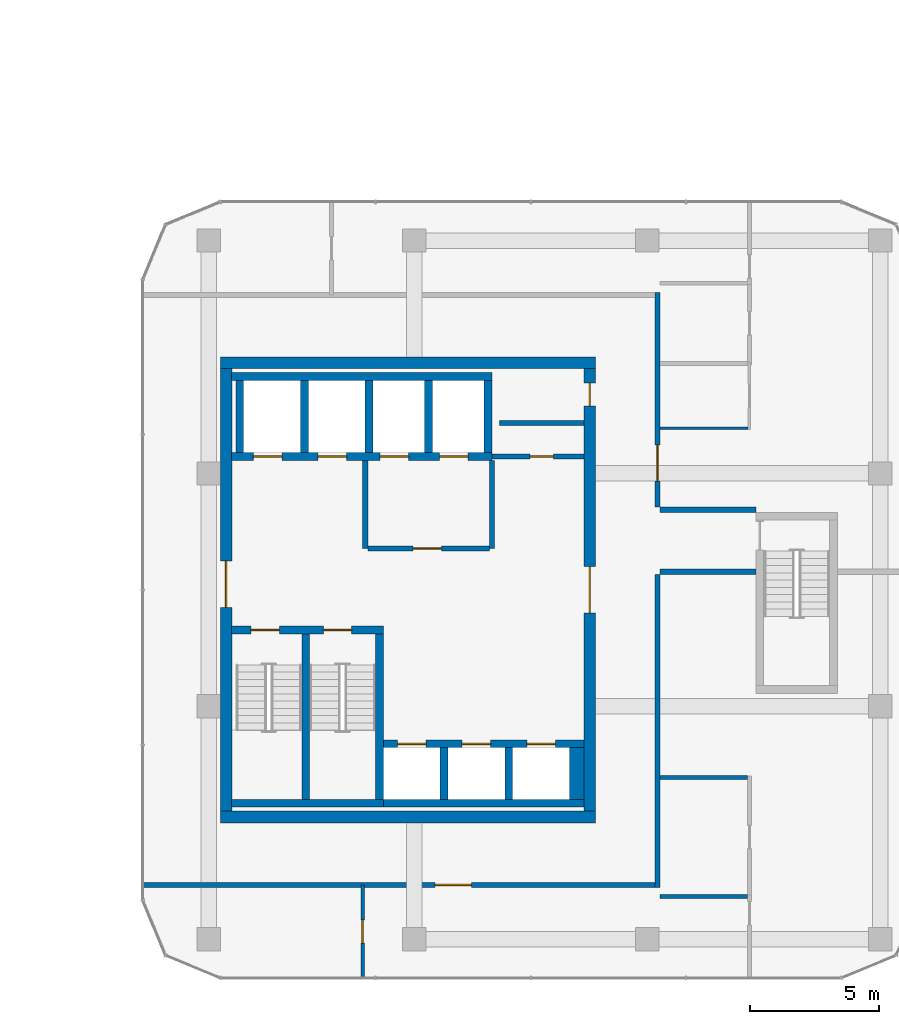
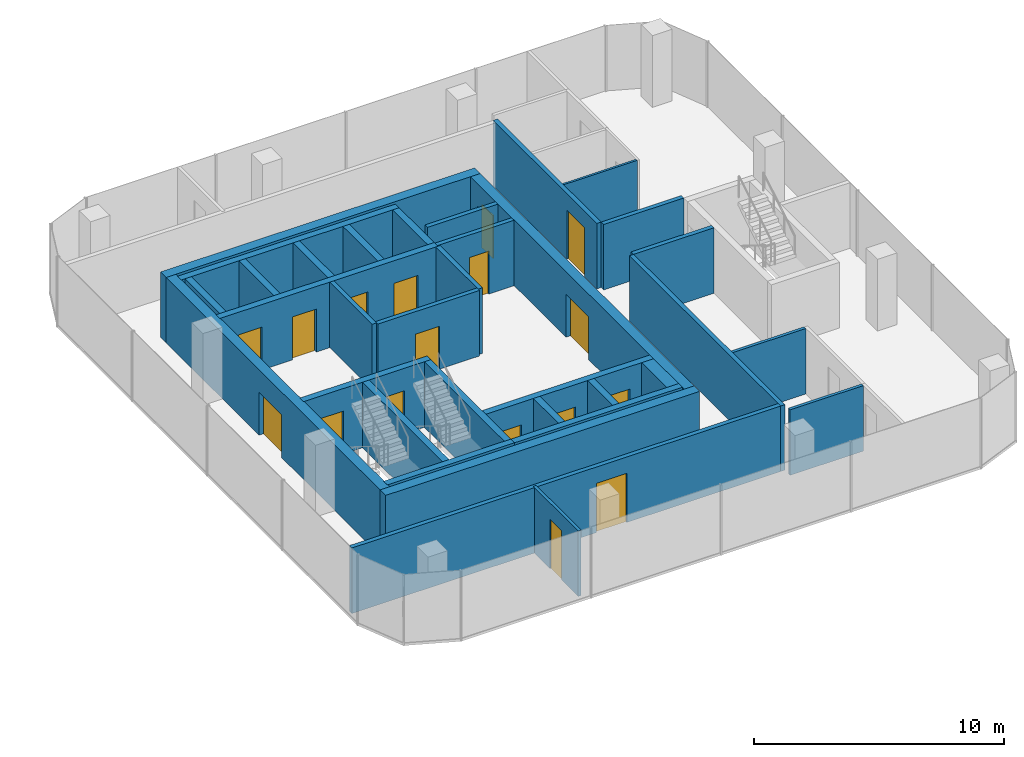
# One storey, part 17 of 22: 34 walls, 17 doors, 17 openings.
"""IFC4 building model written with IfcOpenShell, lengths in metres."""

import ifcopenshell
import ifcopenshell.guid

model = None  # the IFC model being written
_history = None  # IfcOwnerHistory: only IFC2X3 demands one
_inside = {}  # id of a spatial element -> (the spatial element, [elements in it])
_under = {}  # id of a project, library or spatial element -> (it, [spatial elements below it])
_declared = {}  # id of a project -> (the project, [libraries it declares])
_typed = {}  # id of a type object -> (the type object, [elements of that type])
_made_of = {}  # id of a material, layer set ... -> (it, [elements and type objects made of it])


def new_model(schema):
    """Start an empty IFC model of exactly this schema.

    Asked for "IFC4X3", IfcOpenShell would pick the latest addendum, in which some entities
    have other attributes; the version numbers below select the first issue.
    IFC2X3 requires an IfcOwnerHistory on every rooted entity: one is made here for all.
    """
    global model, _history
    if schema == "IFC4X3":
        model = ifcopenshell.file(schema_version=(4, 3, 0, 0))
    else:
        model = ifcopenshell.file(schema=schema)
    _inside.clear()
    _under.clear()
    _declared.clear()
    _typed.clear()
    _made_of.clear()
    _history = None
    if model.schema == "IFC2X3":
        org = make("IfcOrganization", Name="unknown")
        user = make(
            "IfcPersonAndOrganization",
            ThePerson=make("IfcPerson", FamilyName="unknown"),
            TheOrganization=org,
        )
        app = make(
            "IfcApplication",
            ApplicationDeveloper=org,
            Version="unknown",
            ApplicationFullName="unknown",
            ApplicationIdentifier="unknown",
        )
        _history = make(
            "IfcOwnerHistory",
            OwningUser=user,
            OwningApplication=app,
            ChangeAction="ADDED",
            CreationDate=0,
        )
    return model


def make(cls, **values):
    """One entity of the class cls with the attributes given. An attribute that is None is left unset."""
    return model.create_entity(
        cls, **{name: value for name, value in values.items() if value is not None}
    )


def rooted(cls, **values):
    """An entity with a GlobalId (a new one), such as an element, a storey or a relation."""
    return make(cls, GlobalId=ifcopenshell.guid.new(), OwnerHistory=_history, **values)


def si_unit(unit_type, name, prefix=None):
    """IfcSIUnit, for example si_unit("LENGTHUNIT", "METRE", prefix="MILLI")."""
    return make("IfcSIUnit", UnitType=unit_type, Prefix=prefix, Name=name)


def assignment(units):
    """IfcUnitAssignment: the units of a project."""
    return None if units is None else make("IfcUnitAssignment", Units=units)


def point(xyz):
    """IfcCartesianPoint."""
    return None if xyz is None else make("IfcCartesianPoint", Coordinates=xyz)


def direction(xyz):
    """IfcDirection."""
    return None if xyz is None else make("IfcDirection", DirectionRatios=xyz)


def frame(location, z_axis=None, x_axis=None):
    """IfcAxis2Placement3D, a coordinate frame: its origin and axes. An axis left out is left unset."""
    return make(
        "IfcAxis2Placement3D",
        Location=point(location),
        Axis=direction(z_axis),
        RefDirection=direction(x_axis),
    )


def frame_2d(location, x_axis=None):
    """IfcAxis2Placement2D, a coordinate frame in the plane: its origin and x axis."""
    return make(
        "IfcAxis2Placement2D", Location=point(location), RefDirection=direction(x_axis)
    )


def origin():
    """The frame at (0, 0, 0) with its axes left unset."""
    return frame((0.0, 0.0, 0.0))


def place(relative_to, where):
    """IfcLocalPlacement: puts the frame where relative to a parent placement (None: the world)."""
    return make(
        "IfcLocalPlacement", PlacementRelTo=relative_to, RelativePlacement=where
    )


def context(
    kind, dimensions, precision=None, world=None, true_north=None, identifier=None
):
    """IfcGeometricRepresentationContext, for example the 3D "Model" context."""
    return make(
        "IfcGeometricRepresentationContext",
        ContextIdentifier=identifier,
        ContextType=kind,
        CoordinateSpaceDimension=dimensions,
        Precision=precision,
        WorldCoordinateSystem=world,
        TrueNorth=true_north,
    )


def subcontext(parent, identifier, kind, view, scale=None):
    """IfcGeometricRepresentationSubContext, for example "Body" below "Model"."""
    return make(
        "IfcGeometricRepresentationSubContext",
        ContextIdentifier=identifier,
        ContextType=kind,
        ParentContext=parent,
        TargetScale=scale,
        TargetView=view,
    )


def project(units=None, contexts=None):
    """IfcProject with its units and contexts."""
    return rooted(
        "IfcProject",
        Name="project",
        RepresentationContexts=contexts,
        UnitsInContext=assignment(units),
    )


def spatial(cls, under=None, at=None, **own):
    """A site, building, storey or space (cls), placed at a placement, below another one or the project."""
    s = rooted(cls, ObjectPlacement=at, **own)
    if under is not None:
        _under.setdefault(under.id(), (under, []))[1].append(s)
    return s


def profile(cls, at=None, kind="AREA", **sizes):
    """A parametric profile (cls). Its sizes go by their IFC names, for example OverallWidth=200.0."""
    return make(cls, ProfileType=kind, Position=at, **sizes)


def rectangle(**sizes):
    """IfcRectangleProfileDef."""
    return profile("IfcRectangleProfileDef", **sizes)


def extrude(swept, where, along, depth):
    """IfcExtrudedAreaSolid: the profile swept, set in the frame where, extruded along a direction by depth."""
    return make(
        "IfcExtrudedAreaSolid",
        SweptArea=swept,
        Position=where,
        ExtrudedDirection=direction(along),
        Depth=depth,
    )


def shape(context_of_items, identifier, shape_type, items):
    """IfcShapeRepresentation: the items that make up one representation, for example the "Body"."""
    return make(
        "IfcShapeRepresentation",
        ContextOfItems=context_of_items,
        RepresentationIdentifier=identifier,
        RepresentationType=shape_type,
        Items=items,
    )


def material(Name=None, Category=None):
    """IfcMaterial."""
    return make("IfcMaterial", Name=Name, Category=Category)


def layer(
    of_material, thickness, ventilated=None, Name=None, Category=None, Priority=None
):
    """IfcMaterialLayer: one layer of a wall or slab, of a material (None: an air gap)."""
    return make(
        "IfcMaterialLayer",
        Material=of_material,
        LayerThickness=thickness,
        IsVentilated=ventilated,
        Name=Name,
        Category=Category,
        Priority=Priority,
    )


def layer_set(layers, Name=None):
    """IfcMaterialLayerSet."""
    return make("IfcMaterialLayerSet", MaterialLayers=layers, LayerSetName=Name)


def made_of(thing, what):
    """Note that an element or type object is made of a material, layer set ...; save() writes the relation."""
    if what is not None:
        _made_of.setdefault(what.id(), (what, []))[1].append(thing)
    return thing


def type_object(cls, material=None, **own):
    """A type object (cls), such as IfcWallType, which elements share."""
    return made_of(rooted(cls, **own), material)


def element(
    cls,
    number,
    at=None,
    inside=None,
    cuts=None,
    type_object=None,
    material=None,
    context=None,
    identifier="Body",
    shape_type=None,
    held_by="IfcProductDefinitionShape",
    body=None,
    shapes=None,
    **own,
):
    """One element of the class cls, such as IfcWall. Its Tag is "e" and its number.

    at: its placement. inside: the storey or other place that contains it. cuts: it is an
    opening in that element (IfcRelVoidsElement). A single representation is given by context,
    identifier, shape_type and body (its items); several are given by shapes. held_by: the class
    of the entity that holds the representations. save() writes the other relations.
    """
    e = rooted(cls, Tag="e%d" % number, ObjectPlacement=at, **own)
    if body is not None:
        shapes = [shape(context, identifier, shape_type, body)]
    if shapes is not None:
        e.Representation = make(held_by, Representations=shapes)
    if inside is not None:
        _inside.setdefault(inside.id(), (inside, []))[1].append(e)
    if cuts is not None:
        rooted(
            "IfcRelVoidsElement", RelatingBuildingElement=cuts, RelatedOpeningElement=e
        )
    if type_object is not None:
        _typed.setdefault(type_object.id(), (type_object, []))[1].append(e)
    return made_of(e, material)


def fill(opening, filler):
    """IfcRelFillsElement: the door or window that sits in an opening."""
    return rooted(
        "IfcRelFillsElement",
        RelatingOpeningElement=opening,
        RelatedBuildingElement=filler,
    )


def aggregate(whole, parts):
    """IfcRelAggregates: a whole, such as a stair, and the parts it consists of."""
    return rooted("IfcRelAggregates", RelatingObject=whole, RelatedObjects=parts)


def save(model, path):
    """Write the relations noted so far, then the file.

    IfcRelAggregates (storeys below a building ...), IfcRelContainedInSpatialStructure (elements
    in a storey), IfcRelDefinesByType, IfcRelAssociatesMaterial and IfcRelDeclares: one each for
    every whole, place, type object, material and project.
    """
    for whole, parts in _under.values():
        aggregate(whole, parts)
    for where, things in _inside.values():
        rooted(
            "IfcRelContainedInSpatialStructure",
            RelatedElements=things,
            RelatingStructure=where,
        )
    for kind, things in _typed.values():
        rooted("IfcRelDefinesByType", RelatedObjects=things, RelatingType=kind)
    for what, things in _made_of.values():
        rooted("IfcRelAssociatesMaterial", RelatedObjects=things, RelatingMaterial=what)
    for by, libraries in _declared.values():
        rooted("IfcRelDeclares", RelatingContext=by, RelatedDefinitions=libraries)
    model.write(path)


model = new_model("IFC4")

# Units and contexts
model_context = context("Model", 3, precision=1e-05, world=origin(), true_north=direction((0.0, 1.0)))
body_context = subcontext(model_context, "Body", "Model", "MODEL_VIEW")
ifc_project = project(units=[si_unit("LENGTHUNIT", "METRE"), si_unit("AREAUNIT", "SQUARE_METRE"), si_unit("VOLUMEUNIT", "CUBIC_METRE"), si_unit("PLANEANGLEUNIT", "RADIAN"), si_unit("MASSUNIT", "GRAM", prefix="KILO")], contexts=[model_context])

# Site, building, storey
site_placement = place(None, origin())
site = spatial("IfcSite", under=ifc_project, at=site_placement, CompositionType="ELEMENT")
building_placement = place(site_placement, origin())
building = spatial("IfcBuilding", under=site, at=building_placement, Name="Plateau Cross Towers", CompositionType="ELEMENT")
storey_placement = place(building_placement, frame((0.0, 0.0, 68.800048828125)))
storey = spatial("IfcBuildingStorey", under=building, at=storey_placement, Name="L17", CompositionType="ELEMENT", Elevation=68.800048828125)

# Wall
ifc_material_1 = material(Name="Concrete block, plastered both sides", Category="concrete")
ifc_layer_1 = layer(ifc_material_1, 0.199951171875)
ifc_layer_set_1 = layer_set([ifc_layer_1], Name="Concrete block, plastered both sides")
wall_type_1 = type_object("IfcWallType", Name="Core partition 200", PredefinedType="PARTITIONING", material=ifc_layer_set_1)
wall_1_placement = place(storey_placement, frame((80.60009765625, 10.60009765625, 0.0), z_axis=(0.0, 0.0, 1.0), x_axis=(0.0, 1.0, 0.0)))
element("IfcWall", 1, at=wall_1_placement, inside=storey, type_object=wall_type_1, Name="Core partition", PredefinedType="PARTITIONING", context=body_context, shape_type="SweptSolid", body=[
    extrude(rectangle(XDim=3.39990234375, YDim=0.199951171875, at=frame_2d((1.699951171875, 0.0))), origin(), (0.0, 0.0, 1.0), 3.199951171875),
])

# Wall, opening, door
wall_2_placement = place(storey_placement, frame((80.699951171875, 10.60009765625, 0.0), z_axis=(0.0, 0.0, 1.0), x_axis=(1.0, 0.0, 0.0)))
wall_2 = element("IfcWall", 2, at=wall_2_placement, inside=storey, type_object=wall_type_1, Name="Core partition", PredefinedType="PARTITIONING", context=body_context, shape_type="SweptSolid", body=[
    extrude(rectangle(XDim=4.699951171875, YDim=0.199951171875, at=frame_2d((2.35009765625, 0.0))), origin(), (0.0, 0.0, 1.0), 3.199951171875),
])
opening_1_placement = place(wall_2_placement, frame((1.75, 0.0, 0.0)))
opening_1 = element("IfcOpeningElement", 3, at=opening_1_placement, cuts=wall_2, Name="Opening FFD", PredefinedType="OPENING", context=body_context, shape_type="SweptSolid", body=[
    extrude(rectangle(XDim=1.10009765625, YDim=2.10009765625, at=frame_2d((0.550048828125, 1.050048828125))), frame((0.0, 0.10986328125, 0.0), z_axis=(0.0, -1.0, 0.0), x_axis=(1.0, 0.0, 0.0)), (0.0, 0.0, 1.0), 0.219970703125),
])
ifc_material_2 = material(Name="Steel, fire-resisting leaf", Category="steel")
door_type_1 = type_object("IfcDoorType", Name="Firefighting lobby door 1100", OperationType="NOTDEFINED", PredefinedType="DOOR", material=ifc_material_2)
door_1_placement = place(opening_1_placement, origin())
door_1 = element("IfcDoor", 4, at=door_1_placement, inside=storey, type_object=door_type_1, Name="Firefighting lobby door FFD", OperationType="SINGLE_SWING_LEFT", OverallHeight=2.10009765625, OverallWidth=1.10009765625, PredefinedType="DOOR", context=body_context, shape_type="SweptSolid", body=[
    extrude(rectangle(XDim=1.10009765625, YDim=2.10009765625, at=frame_2d((0.550048828125, 1.050048828125))), frame((0.0, 0.02490234375, 0.0), z_axis=(0.0, -1.0, 0.0), x_axis=(1.0, 0.0, 0.0)), (0.0, 0.0, 1.0), 0.050048828125),
])
fill(opening_1, door_1)

# Wall
wall_3_placement = place(storey_placement, frame((85.5, 10.60009765625, 0.0), z_axis=(0.0, 0.0, 1.0), x_axis=(0.0, 1.0, 0.0)))
element("IfcWall", 5, at=wall_3_placement, inside=storey, type_object=wall_type_1, Name="Core partition", PredefinedType="PARTITIONING", context=body_context, shape_type="SweptSolid", body=[
    extrude(rectangle(XDim=3.39990234375, YDim=0.199951171875, at=frame_2d((1.699951171875, 0.0))), origin(), (0.0, 0.0, 1.0), 3.199951171875),
])

# Wall, opening, door
wall_4_placement = place(storey_placement, frame((85.5, 14.14990234375, 0.0), z_axis=(0.0, 0.0, 1.0), x_axis=(1.0, 0.0, 0.0)))
wall_4 = element("IfcWall", 6, at=wall_4_placement, inside=storey, type_object=wall_type_1, Name="Core partition", PredefinedType="PARTITIONING", context=body_context, shape_type="SweptSolid", body=[
    extrude(rectangle(XDim=3.550048828125, YDim=0.199951171875, at=frame_2d((1.77490234375, 0.0))), origin(), (0.0, 0.0, 1.0), 3.199951171875),
])
opening_2_placement = place(wall_4_placement, frame((1.47509765625, 0.0, 0.0)))
opening_2 = element("IfcOpeningElement", 7, at=opening_2_placement, cuts=wall_4, Name="Opening RD2", PredefinedType="OPENING", context=body_context, shape_type="SweptSolid", body=[
    extrude(rectangle(XDim=0.89990234375, YDim=2.10009765625, at=frame_2d((0.449951171875, 1.050048828125))), frame((0.0, 0.10986328125, 0.0), z_axis=(0.0, -1.0, 0.0), x_axis=(1.0, 0.0, 0.0)), (0.0, 0.0, 1.0), 0.219970703125),
])
door_type_2 = type_object("IfcDoorType", Name="Core riser door 900", OperationType="NOTDEFINED", PredefinedType="DOOR", material=ifc_material_2)
door_2_placement = place(opening_2_placement, origin())
door_2 = element("IfcDoor", 8, at=door_2_placement, inside=storey, type_object=door_type_2, Name="Core riser door RD2", OperationType="SINGLE_SWING_LEFT", OverallHeight=2.10009765625, OverallWidth=0.89990234375, PredefinedType="DOOR", context=body_context, shape_type="SweptSolid", body=[
    extrude(rectangle(XDim=0.89990234375, YDim=2.10009765625, at=frame_2d((0.449951171875, 1.050048828125))), frame((0.0, 0.02490234375, 0.0), z_axis=(0.0, -1.0, 0.0), x_axis=(1.0, 0.0, 0.0)), (0.0, 0.0, 1.0), 0.050048828125),
])
fill(opening_2, door_2)

# Walls
wall_5_placement = place(storey_placement, frame((85.800048828125, 15.449951171875, 0.0), z_axis=(0.0, 0.0, 1.0), x_axis=(1.0, 0.0, 0.0)))
element("IfcWall", 9, at=wall_5_placement, inside=storey, type_object=wall_type_1, Name="Core partition", PredefinedType="PARTITIONING", context=body_context, shape_type="SweptSolid", body=[
    extrude(rectangle(XDim=3.25, YDim=0.199951171875, at=frame_2d((1.625, 0.0))), origin(), (0.0, 0.0, 1.0), 3.199951171875),
])
ifc_material_3 = material(Name="Concrete C60/75", Category="concrete")
ifc_layer_2 = layer(ifc_material_3, 0.300048828125)
ifc_layer_set_2 = layer_set([ifc_layer_2], Name="Concrete C60/75")
wall_type_2 = type_object("IfcWallType", Name="Core shaft wall 300", PredefinedType="SHEAR", material=ifc_layer_set_2)
wall_6_placement = place(storey_placement, frame((75.429931640625, 0.75, 0.0), z_axis=(0.0, 0.0, 1.0), x_axis=(1.0, 0.0, 0.0)))
element("IfcWall", 10, at=wall_6_placement, inside=storey, type_object=wall_type_2, Name="B-sb-stS@L17", PredefinedType="SHEAR", context=body_context, shape_type="SweptSolid", body=[
    extrude(rectangle(XDim=5.8701171875, YDim=0.300048828125, at=frame_2d((2.93505859375, 0.0))), origin(), (0.0, 0.0, 1.0), 3.199951171875),
])

# Wall, openings, doors
wall_7_placement = place(storey_placement, frame((75.429931640625, 7.449951171875, 0.0), z_axis=(0.0, 0.0, 1.0), x_axis=(1.0, 0.0, 0.0)))
wall_7 = element("IfcWall", 11, at=wall_7_placement, inside=storey, type_object=wall_type_2, Name="B-sb-stN@L17", PredefinedType="SHEAR", context=body_context, shape_type="SweptSolid", body=[
    extrude(rectangle(XDim=5.8701171875, YDim=0.300048828125, at=frame_2d((2.93505859375, 0.0))), origin(), (0.0, 0.0, 1.0), 3.199951171875),
])
opening_3_placement = place(wall_7_placement, frame((0.75, 0.0, 0.0)))
opening_3 = element("IfcOpeningElement", 12, at=opening_3_placement, cuts=wall_7, Name="Opening SD", PredefinedType="OPENING", context=body_context, shape_type="SweptSolid", body=[
    extrude(rectangle(XDim=1.10009765625, YDim=2.10009765625, at=frame_2d((0.550048828125, 1.050048828125))), frame((0.0, 0.159912109375, 0.0), z_axis=(0.0, -1.0, 0.0), x_axis=(1.0, 0.0, 0.0)), (0.0, 0.0, 1.0), 0.320068359375),
])
opening_4_placement = place(wall_7_placement, frame((3.550048828125, 0.0, 0.0)))
opening_4 = element("IfcOpeningElement", 13, at=opening_4_placement, cuts=wall_7, Name="Opening SD", PredefinedType="OPENING", context=body_context, shape_type="SweptSolid", body=[
    extrude(rectangle(XDim=1.10009765625, YDim=2.10009765625, at=frame_2d((0.550048828125, 1.050048828125))), frame((0.0, 0.159912109375, 0.0), z_axis=(0.0, -1.0, 0.0), x_axis=(1.0, 0.0, 0.0)), (0.0, 0.0, 1.0), 0.320068359375),
])
door_type_3 = type_object("IfcDoorType", Name="Stair door 1100", OperationType="NOTDEFINED", PredefinedType="DOOR", material=ifc_material_2)
door_3_placement = place(opening_3_placement, origin())
door_3 = element("IfcDoor", 14, at=door_3_placement, inside=storey, type_object=door_type_3, Name="Stair door SD", OperationType="SINGLE_SWING_RIGHT", OverallHeight=2.10009765625, OverallWidth=1.10009765625, PredefinedType="DOOR", context=body_context, shape_type="SweptSolid", body=[
    extrude(rectangle(XDim=1.10009765625, YDim=2.10009765625, at=frame_2d((0.550048828125, 1.050048828125))), frame((0.0, 0.02490234375, 0.0), z_axis=(0.0, -1.0, 0.0), x_axis=(1.0, 0.0, 0.0)), (0.0, 0.0, 1.0), 0.050048828125),
])
fill(opening_3, door_3)
door_4_placement = place(opening_4_placement, origin())
door_4 = element("IfcDoor", 15, at=door_4_placement, inside=storey, type_object=door_type_3, Name="Stair door SD", OperationType="SINGLE_SWING_LEFT", OverallHeight=2.10009765625, OverallWidth=1.10009765625, PredefinedType="DOOR", context=body_context, shape_type="SweptSolid", body=[
    extrude(rectangle(XDim=1.10009765625, YDim=2.10009765625, at=frame_2d((0.550048828125, 1.050048828125))), frame((0.0, 0.02490234375, 0.0), z_axis=(0.0, -1.0, 0.0), x_axis=(1.0, 0.0, 0.0)), (0.0, 0.0, 1.0), 0.050048828125),
])
fill(opening_4, door_4)

# Walls
for number, where, z_axis, x_axis, name in (
    (16, (78.300048828125, 0.89990234375, 0.0), (0.0, 0.0, 1.0), (0.0, 1.0, 0.0), "B-sb-st1@L17"),
    (17, (81.14990234375, 0.89990234375, 0.0), (0.0, 0.0, 1.0), (0.0, 1.0, 0.0), "B-sb-st2@L17"),
):
    element("IfcWall", number, at=place(storey_placement, frame(where, z_axis=z_axis, x_axis=x_axis)), inside=storey, type_object=wall_type_2, Name=name, PredefinedType="SHEAR", context=body_context, shape_type="SweptSolid", body=[
        extrude(rectangle(XDim=6.400146484375, YDim=0.300048828125, at=frame_2d((3.2001953125, 0.0))), origin(), (0.0, 0.0, 1.0), 3.199951171875),
    ])
wall_8_placement = place(storey_placement, frame((81.300048828125, 0.75, 0.0), z_axis=(0.0, 0.0, 1.0), x_axis=(1.0, 0.0, 0.0)))
element("IfcWall", 18, at=wall_8_placement, inside=storey, type_object=wall_type_2, Name="B-sb-back@L17", PredefinedType="SHEAR", context=body_context, shape_type="SweptSolid", body=[
    extrude(rectangle(XDim=7.75, YDim=0.300048828125, at=frame_2d((3.875, 0.0))), origin(), (0.0, 0.0, 1.0), 3.199951171875),
])
for number, where, z_axis, x_axis, name in (
    (19, (83.64990234375, 0.89990234375, 0.0), (0.0, 0.0, 1.0), (0.0, 1.0, 0.0), "B-sb-v1@L17"),
    (20, (86.14990234375, 0.89990234375, 0.0), (0.0, 0.0, 1.0), (0.0, 1.0, 0.0), "B-sb-v2@L17"),
):
    element("IfcWall", number, at=place(storey_placement, frame(where, z_axis=z_axis, x_axis=x_axis)), inside=storey, type_object=wall_type_2, Name=name, PredefinedType="SHEAR", context=body_context, shape_type="SweptSolid", body=[
        extrude(rectangle(XDim=2.0, YDim=0.300048828125, at=frame_2d((1.0, 0.0))), origin(), (0.0, 0.0, 1.0), 3.199951171875),
    ])

# Wall, openings, doors
wall_9_placement = place(storey_placement, frame((81.300048828125, 3.050048828125, 0.0), z_axis=(0.0, 0.0, 1.0), x_axis=(1.0, 0.0, 0.0)))
wall_9 = element("IfcWall", 21, at=wall_9_placement, inside=storey, type_object=wall_type_2, Name="B-sb-front@L17", PredefinedType="SHEAR", context=body_context, shape_type="SweptSolid", body=[
    extrude(rectangle(XDim=7.75, YDim=0.300048828125, at=frame_2d((3.875, 0.0))), origin(), (0.0, 0.0, 1.0), 3.199951171875),
])
opening_5_placement = place(wall_9_placement, frame((0.550048828125, 0.0, 0.0)))
opening_5 = element("IfcOpeningElement", 22, at=opening_5_placement, cuts=wall_9, Name="Opening LD", PredefinedType="OPENING", context=body_context, shape_type="SweptSolid", body=[
    extrude(rectangle(XDim=1.10009765625, YDim=2.10009765625, at=frame_2d((0.550048828125, 1.050048828125))), frame((0.0, 0.159912109375, 0.0), z_axis=(0.0, -1.0, 0.0), x_axis=(1.0, 0.0, 0.0)), (0.0, 0.0, 1.0), 0.320068359375),
])
opening_6_placement = place(wall_9_placement, frame((3.050048828125, 0.0, 0.0)))
opening_6 = element("IfcOpeningElement", 23, at=opening_6_placement, cuts=wall_9, Name="Opening LD", PredefinedType="OPENING", context=body_context, shape_type="SweptSolid", body=[
    extrude(rectangle(XDim=1.10009765625, YDim=2.10009765625, at=frame_2d((0.550048828125, 1.050048828125))), frame((0.0, 0.159912109375, 0.0), z_axis=(0.0, -1.0, 0.0), x_axis=(1.0, 0.0, 0.0)), (0.0, 0.0, 1.0), 0.320068359375),
])
opening_7_placement = place(wall_9_placement, frame((5.550048828125, 0.0, 0.0)))
opening_7 = element("IfcOpeningElement", 24, at=opening_7_placement, cuts=wall_9, Name="Opening LD", PredefinedType="OPENING", context=body_context, shape_type="SweptSolid", body=[
    extrude(rectangle(XDim=1.10009765625, YDim=2.10009765625, at=frame_2d((0.550048828125, 1.050048828125))), frame((0.0, 0.159912109375, 0.0), z_axis=(0.0, -1.0, 0.0), x_axis=(1.0, 0.0, 0.0)), (0.0, 0.0, 1.0), 0.320068359375),
])
ifc_material_4 = material(Name="Stainless steel, fire-resisting sliding leaves", Category="steel")
door_type_4 = type_object("IfcDoorType", Name="Lift landing door 1100", OperationType="NOTDEFINED", PredefinedType="DOOR", material=ifc_material_4)
door_5_placement = place(opening_5_placement, origin())
door_5 = element("IfcDoor", 25, at=door_5_placement, inside=storey, type_object=door_type_4, Name="Lift landing door LD", OperationType="DOUBLE_DOOR_SLIDING", OverallHeight=2.10009765625, OverallWidth=1.10009765625, PredefinedType="DOOR", context=body_context, shape_type="SweptSolid", body=[
    extrude(rectangle(XDim=1.10009765625, YDim=2.10009765625, at=frame_2d((0.550048828125, 1.050048828125))), frame((0.0, 0.02490234375, 0.0), z_axis=(0.0, -1.0, 0.0), x_axis=(1.0, 0.0, 0.0)), (0.0, 0.0, 1.0), 0.050048828125),
])
fill(opening_5, door_5)
door_6_placement = place(opening_6_placement, origin())
door_6 = element("IfcDoor", 26, at=door_6_placement, inside=storey, type_object=door_type_4, Name="Lift landing door LD", OperationType="DOUBLE_DOOR_SLIDING", OverallHeight=2.10009765625, OverallWidth=1.10009765625, PredefinedType="DOOR", context=body_context, shape_type="SweptSolid", body=[
    extrude(rectangle(XDim=1.10009765625, YDim=2.10009765625, at=frame_2d((0.550048828125, 1.050048828125))), frame((0.0, 0.02490234375, 0.0), z_axis=(0.0, -1.0, 0.0), x_axis=(1.0, 0.0, 0.0)), (0.0, 0.0, 1.0), 0.050048828125),
])
fill(opening_6, door_6)
door_7_placement = place(opening_7_placement, origin())
door_7 = element("IfcDoor", 27, at=door_7_placement, inside=storey, type_object=door_type_4, Name="Lift landing door LD", OperationType="DOUBLE_DOOR_SLIDING", OverallHeight=2.10009765625, OverallWidth=1.10009765625, PredefinedType="DOOR", context=body_context, shape_type="SweptSolid", body=[
    extrude(rectangle(XDim=1.10009765625, YDim=2.10009765625, at=frame_2d((0.550048828125, 1.050048828125))), frame((0.0, 0.02490234375, 0.0), z_axis=(0.0, -1.0, 0.0), x_axis=(1.0, 0.0, 0.0)), (0.0, 0.0, 1.0), 0.050048828125),
])
fill(opening_7, door_7)

# Wall
wall_10_placement = place(storey_placement, frame((75.429931640625, 17.25, 0.0), z_axis=(0.0, 0.0, 1.0), x_axis=(1.0, 0.0, 0.0)))
element("IfcWall", 28, at=wall_10_placement, inside=storey, type_object=wall_type_2, Name="B-nb-back@L17", PredefinedType="SHEAR", context=body_context, shape_type="SweptSolid", body=[
    extrude(rectangle(XDim=10.070068359375, YDim=0.300048828125, at=frame_2d((5.03515625, 0.0))), origin(), (0.0, 0.0, 1.0), 3.199951171875),
])

# Wall, openings, doors
wall_11_placement = place(storey_placement, frame((75.429931640625, 14.14990234375, 0.0), z_axis=(0.0, 0.0, 1.0), x_axis=(1.0, 0.0, 0.0)))
wall_11 = element("IfcWall", 29, at=wall_11_placement, inside=storey, type_object=wall_type_2, Name="B-nb-front@L17", PredefinedType="SHEAR", context=body_context, shape_type="SweptSolid", body=[
    extrude(rectangle(XDim=10.070068359375, YDim=0.300048828125, at=frame_2d((5.03515625, 0.0))), origin(), (0.0, 0.0, 1.0), 3.199951171875),
])
opening_8_placement = place(wall_11_placement, frame((0.85009765625, 0.0, 0.0)))
opening_8 = element("IfcOpeningElement", 30, at=opening_8_placement, cuts=wall_11, Name="Opening LD", PredefinedType="OPENING", context=body_context, shape_type="SweptSolid", body=[
    extrude(rectangle(XDim=1.10009765625, YDim=2.10009765625, at=frame_2d((0.550048828125, 1.050048828125))), frame((0.0, 0.159912109375, 0.0), z_axis=(0.0, -1.0, 0.0), x_axis=(1.0, 0.0, 0.0)), (0.0, 0.0, 1.0), 0.320068359375),
])
opening_9_placement = place(wall_11_placement, frame((3.35009765625, 0.0, 0.0)))
opening_9 = element("IfcOpeningElement", 31, at=opening_9_placement, cuts=wall_11, Name="Opening LD", PredefinedType="OPENING", context=body_context, shape_type="SweptSolid", body=[
    extrude(rectangle(XDim=1.10009765625, YDim=2.10009765625, at=frame_2d((0.550048828125, 1.050048828125))), frame((0.0, 0.159912109375, 0.0), z_axis=(0.0, -1.0, 0.0), x_axis=(1.0, 0.0, 0.0)), (0.0, 0.0, 1.0), 0.320068359375),
])
opening_10_placement = place(wall_11_placement, frame((5.75, 0.0, 0.0)))
opening_10 = element("IfcOpeningElement", 32, at=opening_10_placement, cuts=wall_11, Name="Opening LD", PredefinedType="OPENING", context=body_context, shape_type="SweptSolid", body=[
    extrude(rectangle(XDim=1.10009765625, YDim=2.10009765625, at=frame_2d((0.550048828125, 1.050048828125))), frame((0.0, 0.159912109375, 0.0), z_axis=(0.0, -1.0, 0.0), x_axis=(1.0, 0.0, 0.0)), (0.0, 0.0, 1.0), 0.320068359375),
])
opening_11_placement = place(wall_11_placement, frame((8.050048828125, 0.0, 0.0)))
opening_11 = element("IfcOpeningElement", 33, at=opening_11_placement, cuts=wall_11, Name="Opening LD", PredefinedType="OPENING", context=body_context, shape_type="SweptSolid", body=[
    extrude(rectangle(XDim=1.10009765625, YDim=2.10009765625, at=frame_2d((0.550048828125, 1.050048828125))), frame((0.0, 0.159912109375, 0.0), z_axis=(0.0, -1.0, 0.0), x_axis=(1.0, 0.0, 0.0)), (0.0, 0.0, 1.0), 0.320068359375),
])
door_8_placement = place(opening_8_placement, origin())
door_8 = element("IfcDoor", 34, at=door_8_placement, inside=storey, type_object=door_type_4, Name="Lift landing door LD", OperationType="DOUBLE_DOOR_SLIDING", OverallHeight=2.10009765625, OverallWidth=1.10009765625, PredefinedType="DOOR", context=body_context, shape_type="SweptSolid", body=[
    extrude(rectangle(XDim=1.10009765625, YDim=2.10009765625, at=frame_2d((0.550048828125, 1.050048828125))), frame((0.0, 0.02490234375, 0.0), z_axis=(0.0, -1.0, 0.0), x_axis=(1.0, 0.0, 0.0)), (0.0, 0.0, 1.0), 0.050048828125),
])
fill(opening_8, door_8)
door_9_placement = place(opening_9_placement, origin())
door_9 = element("IfcDoor", 35, at=door_9_placement, inside=storey, type_object=door_type_4, Name="Lift landing door LD", OperationType="DOUBLE_DOOR_SLIDING", OverallHeight=2.10009765625, OverallWidth=1.10009765625, PredefinedType="DOOR", context=body_context, shape_type="SweptSolid", body=[
    extrude(rectangle(XDim=1.10009765625, YDim=2.10009765625, at=frame_2d((0.550048828125, 1.050048828125))), frame((0.0, 0.02490234375, 0.0), z_axis=(0.0, -1.0, 0.0), x_axis=(1.0, 0.0, 0.0)), (0.0, 0.0, 1.0), 0.050048828125),
])
fill(opening_9, door_9)
door_10_placement = place(opening_10_placement, origin())
door_10 = element("IfcDoor", 36, at=door_10_placement, inside=storey, type_object=door_type_4, Name="Lift landing door LD", OperationType="DOUBLE_DOOR_SLIDING", OverallHeight=2.10009765625, OverallWidth=1.10009765625, PredefinedType="DOOR", context=body_context, shape_type="SweptSolid", body=[
    extrude(rectangle(XDim=1.10009765625, YDim=2.10009765625, at=frame_2d((0.550048828125, 1.050048828125))), frame((0.0, 0.02490234375, 0.0), z_axis=(0.0, -1.0, 0.0), x_axis=(1.0, 0.0, 0.0)), (0.0, 0.0, 1.0), 0.050048828125),
])
fill(opening_10, door_10)
door_11_placement = place(opening_11_placement, origin())
door_11 = element("IfcDoor", 37, at=door_11_placement, inside=storey, type_object=door_type_4, Name="Lift landing door LD", OperationType="DOUBLE_DOOR_SLIDING", OverallHeight=2.10009765625, OverallWidth=1.10009765625, PredefinedType="DOOR", context=body_context, shape_type="SweptSolid", body=[
    extrude(rectangle(XDim=1.10009765625, YDim=2.10009765625, at=frame_2d((0.550048828125, 1.050048828125))), frame((0.0, 0.02490234375, 0.0), z_axis=(0.0, -1.0, 0.0), x_axis=(1.0, 0.0, 0.0)), (0.0, 0.0, 1.0), 0.050048828125),
])
fill(opening_11, door_11)

# Walls
for number, where, z_axis, x_axis, name in (
    (38, (75.75, 14.300048828125, 0.0), (0.0, 0.0, 1.0), (0.0, 1.0, 0.0), "B-nb-v0@L17"),
    (39, (78.25, 14.300048828125, 0.0), (0.0, 0.0, 1.0), (0.0, 1.0, 0.0), "B-nb-v1@L17"),
    (40, (80.75, 14.300048828125, 0.0), (0.0, 0.0, 1.0), (0.0, 1.0, 0.0), "B-nb-v2@L17"),
    (41, (83.050048828125, 14.300048828125, 0.0), (0.0, 0.0, 1.0), (0.0, 1.0, 0.0), "B-nb-v3@L17"),
    (42, (85.35009765625, 14.300048828125, 0.0), (0.0, 0.0, 1.0), (0.0, 1.0, 0.0), "B-nb-v4@L17"),
):
    element("IfcWall", number, at=place(storey_placement, frame(where, z_axis=z_axis, x_axis=x_axis)), inside=storey, type_object=wall_type_2, Name=name, PredefinedType="SHEAR", context=body_context, shape_type="SweptSolid", body=[
        extrude(rectangle(XDim=2.800048828125, YDim=0.300048828125, at=frame_2d((1.39990234375, 0.0))), origin(), (0.0, 0.0, 1.0), 3.199951171875),
    ])
ifc_layer_3 = layer(ifc_material_3, 0.550048828125)
ifc_layer_set_3 = layer_set([ifc_layer_3], Name="Concrete C60/75")
wall_type_3 = type_object("IfcWallType", Name="Core shaft wall 550", PredefinedType="SHEAR", material=ifc_layer_set_3)
wall_12_placement = place(storey_placement, frame((88.77490234375, 0.89990234375, 0.0), z_axis=(0.0, 0.0, 1.0), x_axis=(0.0, 1.0, 0.0)))
element("IfcWall", 43, at=wall_12_placement, inside=storey, type_object=wall_type_3, Name="B-sb-v3@L17", PredefinedType="SHEAR", context=body_context, shape_type="SweptSolid", body=[
    extrude(rectangle(XDim=2.0, YDim=0.550048828125, at=frame_2d((1.0, 0.0))), origin(), (0.0, 0.0, 1.0), 3.199951171875),
])
ifc_layer_4 = layer(ifc_material_3, 0.449951171875)
ifc_layer_set_4 = layer_set([ifc_layer_4], Name="Concrete C60/75")
wall_type_4 = type_object("IfcWallType", Name="Core shell wall 450", PredefinedType="SHEAR", material=ifc_layer_set_4)
for number, where, z_axis, x_axis, name in (
    (44, (75.0, 0.22509765625, 0.0), (0.0, 0.0, 1.0), (1.0, 0.0, 0.0), "B-core-S@L17"),
    (45, (75.0, 17.77490234375, 0.0), (0.0, 0.0, 1.0), (1.0, 0.0, 0.0), "B-core-N@L17"),
):
    element("IfcWall", number, at=place(storey_placement, frame(where, z_axis=z_axis, x_axis=x_axis)), inside=storey, type_object=wall_type_4, Name=name, PredefinedType="SHEAR", context=body_context, shape_type="SweptSolid", body=[
        extrude(rectangle(XDim=14.5, YDim=0.449951171875, at=frame_2d((7.25, 0.0))), origin(), (0.0, 0.0, 1.0), 3.199951171875),
    ])

# Wall, opening, door
wall_13_placement = place(storey_placement, frame((75.22509765625, 0.449951171875, 0.0), z_axis=(0.0, 0.0, 1.0), x_axis=(0.0, 1.0, 0.0)))
wall_13 = element("IfcWall", 46, at=wall_13_placement, inside=storey, type_object=wall_type_4, Name="B-core-W@L17", PredefinedType="SHEAR", context=body_context, shape_type="SweptSolid", body=[
    extrude(rectangle(XDim=17.10009765625, YDim=0.449951171875, at=frame_2d((8.550048828125, 0.0))), origin(), (0.0, 0.0, 1.0), 3.199951171875),
])
opening_12_placement = place(wall_13_placement, frame((7.875, 0.0, 0.0)))
opening_12 = element("IfcOpeningElement", 47, at=opening_12_placement, cuts=wall_13, Name="Opening CD", PredefinedType="OPENING", context=body_context, shape_type="SweptSolid", body=[
    extrude(rectangle(XDim=1.800048828125, YDim=2.10009765625, at=frame_2d((0.89990234375, 1.050048828125))), frame((0.0, 0.23486328125, 0.0), z_axis=(0.0, -1.0, 0.0), x_axis=(1.0, 0.0, 0.0)), (0.0, 0.0, 1.0), 0.469970703125),
])
ifc_material_5 = material(Name="Steel, fire-resisting leaves", Category="steel")
door_type_5 = type_object("IfcDoorType", Name="Corridor door pair 1800", OperationType="NOTDEFINED", PredefinedType="DOOR", material=ifc_material_5)
door_12_placement = place(opening_12_placement, origin())
door_12 = element("IfcDoor", 48, at=door_12_placement, inside=storey, type_object=door_type_5, Name="Corridor door pair CD", OperationType="DOUBLE_DOOR_SINGLE_SWING", OverallHeight=2.10009765625, OverallWidth=1.800048828125, PredefinedType="DOOR", context=body_context, shape_type="SweptSolid", body=[
    extrude(rectangle(XDim=1.800048828125, YDim=2.10009765625, at=frame_2d((0.89990234375, 1.050048828125))), frame((0.0, 0.02490234375, 0.0), z_axis=(0.0, -1.0, 0.0), x_axis=(1.0, 0.0, 0.0)), (0.0, 0.0, 1.0), 0.050048828125),
])
fill(opening_12, door_12)

# Wall, openings, doors
wall_14_placement = place(storey_placement, frame((89.27490234375, 0.449951171875, 0.0), z_axis=(0.0, 0.0, 1.0), x_axis=(0.0, 1.0, 0.0)))
wall_14 = element("IfcWall", 49, at=wall_14_placement, inside=storey, type_object=wall_type_4, Name="B-core-E@L17", PredefinedType="SHEAR", context=body_context, shape_type="SweptSolid", body=[
    extrude(rectangle(XDim=17.10009765625, YDim=0.449951171875, at=frame_2d((8.550048828125, 0.0))), origin(), (0.0, 0.0, 1.0), 3.199951171875),
])
opening_13_placement = place(wall_14_placement, frame((7.64990234375, 0.0, 0.0)))
opening_13 = element("IfcOpeningElement", 50, at=opening_13_placement, cuts=wall_14, Name="Opening CD", PredefinedType="OPENING", context=body_context, shape_type="SweptSolid", body=[
    extrude(rectangle(XDim=1.800048828125, YDim=2.10009765625, at=frame_2d((0.89990234375, 1.050048828125))), frame((0.0, 0.23486328125, 0.0), z_axis=(0.0, -1.0, 0.0), x_axis=(1.0, 0.0, 0.0)), (0.0, 0.0, 1.0), 0.469970703125),
])
opening_14_placement = place(wall_14_placement, frame((15.64990234375, 0.0, 0.0)))
opening_14 = element("IfcOpeningElement", 51, at=opening_14_placement, cuts=wall_14, Name="Opening RD2", PredefinedType="OPENING", context=body_context, shape_type="SweptSolid", body=[
    extrude(rectangle(XDim=0.89990234375, YDim=2.10009765625, at=frame_2d((0.449951171875, 1.050048828125))), frame((0.0, 0.23486328125, 0.0), z_axis=(0.0, -1.0, 0.0), x_axis=(1.0, 0.0, 0.0)), (0.0, 0.0, 1.0), 0.469970703125),
])
door_13_placement = place(opening_14_placement, origin())
door_13 = element("IfcDoor", 52, at=door_13_placement, inside=storey, type_object=door_type_2, Name="Core riser door RD2", OperationType="SINGLE_SWING_LEFT", OverallHeight=2.10009765625, OverallWidth=0.89990234375, PredefinedType="DOOR", context=body_context, shape_type="SweptSolid", body=[
    extrude(rectangle(XDim=0.89990234375, YDim=2.10009765625, at=frame_2d((0.449951171875, 1.050048828125))), frame((0.0, 0.02490234375, 0.0), z_axis=(0.0, -1.0, 0.0), x_axis=(1.0, 0.0, 0.0)), (0.0, 0.0, 1.0), 0.050048828125),
])
fill(opening_14, door_13)
door_14_placement = place(opening_13_placement, origin())
door_14 = element("IfcDoor", 53, at=door_14_placement, inside=storey, type_object=door_type_5, Name="Corridor door pair CD", OperationType="DOUBLE_DOOR_SINGLE_SWING", OverallHeight=2.10009765625, OverallWidth=1.800048828125, PredefinedType="DOOR", context=body_context, shape_type="SweptSolid", body=[
    extrude(rectangle(XDim=1.800048828125, YDim=2.10009765625, at=frame_2d((0.89990234375, 1.050048828125))), frame((0.0, 0.02490234375, 0.0), z_axis=(0.0, -1.0, 0.0), x_axis=(1.0, 0.0, 0.0)), (0.0, 0.0, 1.0), 0.050048828125),
])
fill(opening_13, door_14)

# Wall, opening, door
ifc_material_6 = material(Name="Gypsum board on steel studs, two layers each side", Category="steel")
ifc_layer_5 = layer(ifc_material_6, 0.199951171875)
ifc_layer_set_5 = layer_set([ifc_layer_5], Name="Gypsum board on steel studs, two layers each side")
wall_type_5 = type_object("IfcWallType", Name="Corridor wall 200", PredefinedType="PARTITIONING", material=ifc_layer_set_5)
wall_15_placement = place(storey_placement, frame((72.0, -2.39990234375, 0.0), z_axis=(0.0, 0.0, 1.0), x_axis=(1.0, 0.0, 0.0)))
wall_15 = element("IfcWall", 54, at=wall_15_placement, inside=storey, type_object=wall_type_5, Name="Ring wall", PredefinedType="PARTITIONING", context=body_context, shape_type="SweptSolid", body=[
    extrude(rectangle(XDim=20.0, YDim=0.199951171875, at=frame_2d((10.0, 0.0))), origin(), (0.0, 0.0, 1.0), 3.199951171875),
])
opening_15_placement = place(wall_15_placement, frame((11.300048828125, 0.0, 0.0)))
opening_15 = element("IfcOpeningElement", 55, at=opening_15_placement, cuts=wall_15, Name="Opening D-BE14", PredefinedType="OPENING", context=body_context, shape_type="SweptSolid", body=[
    extrude(rectangle(XDim=1.39990234375, YDim=2.39990234375, at=frame_2d((0.699951171875, 1.199951171875))), frame((0.0, 0.10986328125, 0.0), z_axis=(0.0, -1.0, 0.0), x_axis=(1.0, 0.0, 0.0)), (0.0, 0.0, 1.0), 0.219970703125),
])
ifc_material_7 = material(Name="Timber, fire-resisting leaves", Category="wood")
door_type_6 = type_object("IfcDoorType", Name="Tenant entrance double-leaf 1400x2400", OperationType="NOTDEFINED", PredefinedType="DOOR", material=ifc_material_7)
door_15_placement = place(opening_15_placement, origin())
door_15 = element("IfcDoor", 56, at=door_15_placement, inside=storey, type_object=door_type_6, Name="Door D-BE14", OperationType="DOUBLE_DOOR_SINGLE_SWING", OverallHeight=2.39990234375, OverallWidth=1.39990234375, PredefinedType="DOOR", context=body_context, shape_type="SweptSolid", body=[
    extrude(rectangle(XDim=1.39990234375, YDim=2.39990234375, at=frame_2d((0.699951171875, 1.199951171875))), frame((0.0, 0.02490234375, 0.0), z_axis=(0.0, -1.0, 0.0), x_axis=(1.0, 0.0, 0.0)), (0.0, 0.0, 1.0), 0.050048828125),
])
fill(opening_15, door_15)

# Wall
wall_16_placement = place(storey_placement, frame((91.89990234375, -2.5, 0.0), z_axis=(0.0, 0.0, 1.0), x_axis=(0.0, 1.0, 0.0)))
element("IfcWall", 57, at=wall_16_placement, inside=storey, type_object=wall_type_5, Name="Ring wall", PredefinedType="PARTITIONING", context=body_context, shape_type="SweptSolid", body=[
    extrude(rectangle(XDim=12.10009765625, YDim=0.199951171875, at=frame_2d((6.050048828125, 0.0))), origin(), (0.0, 0.0, 1.0), 3.199951171875),
])

# Wall, opening, door
wall_17_placement = place(storey_placement, frame((91.89990234375, 12.199951171875, 0.0), z_axis=(0.0, 0.0, 1.0), x_axis=(0.0, 1.0, 0.0)))
wall_17 = element("IfcWall", 58, at=wall_17_placement, inside=storey, type_object=wall_type_5, Name="Ring wall", PredefinedType="PARTITIONING", context=body_context, shape_type="SweptSolid", body=[
    extrude(rectangle(XDim=8.300048828125, YDim=0.199951171875, at=frame_2d((4.14990234375, 0.0))), origin(), (0.0, 0.0, 1.0), 3.199951171875),
])
opening_16_placement = place(wall_17_placement, frame((1.0, 0.0, 0.0)))
opening_16 = element("IfcOpeningElement", 59, at=opening_16_placement, cuts=wall_17, Name="Opening D-BE14", PredefinedType="OPENING", context=body_context, shape_type="SweptSolid", body=[
    extrude(rectangle(XDim=1.39990234375, YDim=2.39990234375, at=frame_2d((0.699951171875, 1.199951171875))), frame((0.0, 0.10986328125, 0.0), z_axis=(0.0, -1.0, 0.0), x_axis=(1.0, 0.0, 0.0)), (0.0, 0.0, 1.0), 0.219970703125),
])
door_16_placement = place(opening_16_placement, origin())
door_16 = element("IfcDoor", 60, at=door_16_placement, inside=storey, type_object=door_type_6, Name="Door D-BE14", OperationType="DOUBLE_DOOR_SINGLE_SWING", OverallHeight=2.39990234375, OverallWidth=1.39990234375, PredefinedType="DOOR", context=body_context, shape_type="SweptSolid", body=[
    extrude(rectangle(XDim=1.39990234375, YDim=2.39990234375, at=frame_2d((0.699951171875, 1.199951171875))), frame((0.0, 0.02490234375, 0.0), z_axis=(0.0, -1.0, 0.0), x_axis=(1.0, 0.0, 0.0)), (0.0, 0.0, 1.0), 0.050048828125),
])
fill(opening_16, door_16)

# Walls
for number, where, z_axis, x_axis, name in (
    (61, (92.0, 9.699951171875, 0.0), (0.0, 0.0, 1.0), (1.0, 0.0, 0.0), "Ring wall"),
    (62, (92.0, 12.10009765625, 0.0), (0.0, 0.0, 1.0), (1.0, 0.0, 0.0), "Ring wall"),
):
    element("IfcWall", number, at=place(storey_placement, frame(where, z_axis=z_axis, x_axis=x_axis)), inside=storey, type_object=wall_type_5, Name=name, PredefinedType="PARTITIONING", context=body_context, shape_type="SweptSolid", body=[
        extrude(rectangle(XDim=3.699951171875, YDim=0.199951171875, at=frame_2d((1.85009765625, 0.0))), origin(), (0.0, 0.0, 1.0), 3.199951171875),
    ])

# Wall, opening, door
ifc_material_8 = material(Name="Gypsum board on staggered steel studs, mineral wool, two layers each side", Category="steel")
ifc_layer_6 = layer(ifc_material_8, 0.139892578125)
ifc_layer_set_6 = layer_set([ifc_layer_6], Name="Gypsum board on staggered steel studs, mineral wool, two layers each side")
wall_type_6 = type_object("IfcWallType", Name="Meeting room acoustic partition 140", PredefinedType="PARTITIONING", material=ifc_layer_set_6)
wall_18_placement = place(storey_placement, frame((80.5, -6.0, 0.0), z_axis=(0.0, 0.0, 1.0), x_axis=(0.0, 1.0, 0.0)))
wall_18 = element("IfcWall", 63, at=wall_18_placement, inside=storey, type_object=wall_type_6, Name="Acoustic wall", PredefinedType="PARTITIONING", context=body_context, shape_type="SweptSolid", body=[
    extrude(rectangle(XDim=3.60009765625, YDim=0.139892578125, at=frame_2d((1.800048828125, 0.0))), origin(), (0.0, 0.0, 1.0), 3.199951171875),
])
opening_17_placement = place(wall_18_placement, frame((1.35009765625, 0.0, 0.0)))
opening_17 = element("IfcOpeningElement", 64, at=opening_17_placement, cuts=wall_18, Name="Opening D-BM9", PredefinedType="OPENING", context=body_context, shape_type="SweptSolid", body=[
    extrude(rectangle(XDim=0.89990234375, YDim=2.39990234375, at=frame_2d((0.449951171875, 1.199951171875))), frame((0.0, 0.079833984375, 0.0), z_axis=(0.0, -1.0, 0.0), x_axis=(1.0, 0.0, 0.0)), (0.0, 0.0, 1.0), 0.159912109375),
])
ifc_material_9 = material(Name="Timber leaf, full height", Category="wood")
door_type_7 = type_object("IfcDoorType", Name="Meeting room door 900x2400", OperationType="NOTDEFINED", PredefinedType="DOOR", material=ifc_material_9)
door_17_placement = place(opening_17_placement, origin())
door_17 = element("IfcDoor", 65, at=door_17_placement, inside=storey, type_object=door_type_7, Name="Door D-BM9", OperationType="SINGLE_SWING_LEFT", OverallHeight=2.39990234375, OverallWidth=0.89990234375, PredefinedType="DOOR", context=body_context, shape_type="SweptSolid", body=[
    extrude(rectangle(XDim=0.89990234375, YDim=2.39990234375, at=frame_2d((0.449951171875, 1.199951171875))), frame((0.0, 0.02490234375, 0.0), z_axis=(0.0, -1.0, 0.0), x_axis=(1.0, 0.0, 0.0)), (0.0, 0.0, 1.0), 0.050048828125),
])
fill(opening_17, door_17)

# Walls
for number, where, z_axis, x_axis, name in (
    (66, (92.0, -2.85009765625, 0.0), (0.0, 0.0, 1.0), (1.0, 0.0, 0.0), "Acoustic wall"),
    (67, (92.0, 1.75, 0.0), (0.0, 0.0, 1.0), (1.0, 0.0, 0.0), "Acoustic wall"),
):
    element("IfcWall", number, at=place(storey_placement, frame(where, z_axis=z_axis, x_axis=x_axis)), inside=storey, type_object=wall_type_6, Name=name, PredefinedType="PARTITIONING", context=body_context, shape_type="SweptSolid", body=[
        extrude(rectangle(XDim=3.3798828125, YDim=0.139892578125, at=frame_2d((1.68994140625, 0.0))), origin(), (0.0, 0.0, 1.0), 3.199951171875),
    ])
ifc_material_10 = material(Name="Gypsum board on steel studs", Category="steel")
ifc_layer_7 = layer(ifc_material_10, 0.10009765625)
ifc_layer_set_7 = layer_set([ifc_layer_7], Name="Gypsum board on steel studs")
wall_type_7 = type_object("IfcWallType", Name="Office partition 100", PredefinedType="PARTITIONING", material=ifc_layer_set_7)
wall_19_placement = place(storey_placement, frame((92.0, 15.25, 0.0), z_axis=(0.0, 0.0, 1.0), x_axis=(1.0, 0.0, 0.0)))
element("IfcWall", 68, at=wall_19_placement, inside=storey, type_object=wall_type_7, Name="Part wall", PredefinedType="PARTITIONING", context=body_context, shape_type="SweptSolid", body=[
    extrude(rectangle(XDim=3.39990234375, YDim=0.10009765625, at=frame_2d((1.699951171875, 0.0))), origin(), (0.0, 0.0, 1.0), 3.199951171875),
])

save(model, "model.ifc")
